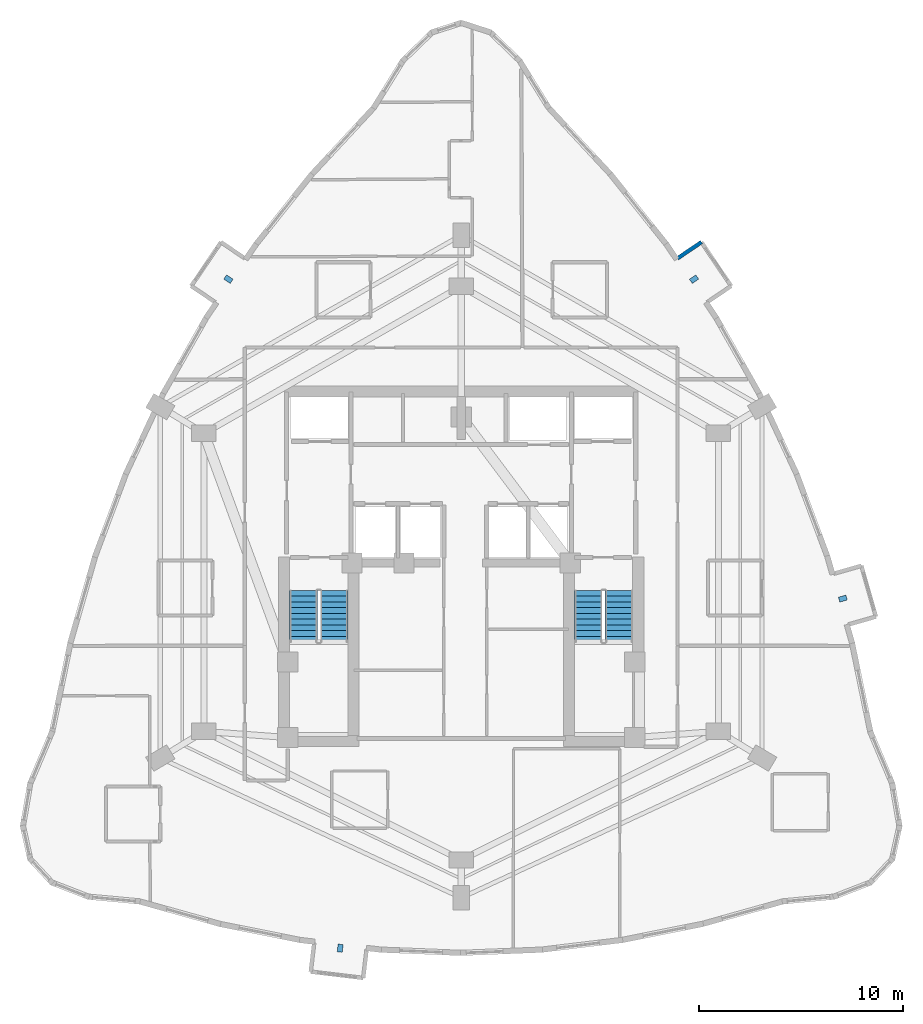
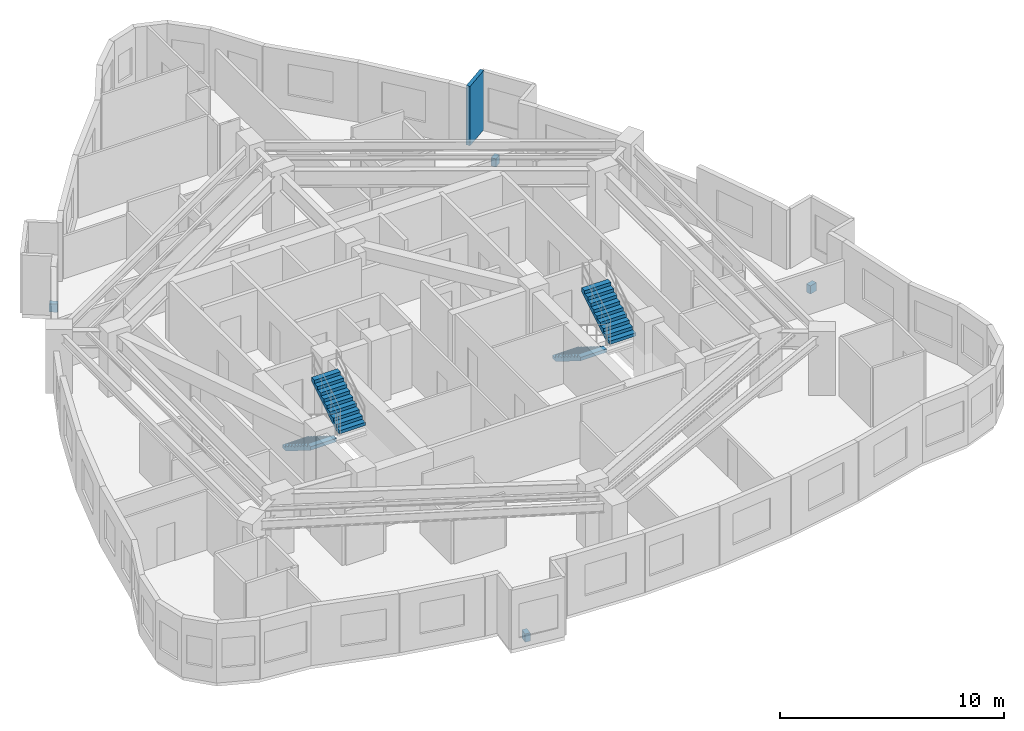
# One storey, part 10 of 11: 4 discrete accessories, 4 stair flights, 1 wall, 2 elements without a shape of their own.
"""IFC4 building model written with IfcOpenShell, lengths in metres."""

from ifc_helpers import new_model, si_unit, direction, frame, frame_2d, origin, origin_2d, place, context, subcontext, project, spatial, polyline, rectangle, outline, extrude, material, layer, layer_set, type_object, element, aggregate, save


model = new_model("IFC4")

# Units and contexts
model_context = context("Model", 3, precision=1e-05, world=origin(), true_north=direction((0.0, 1.0)))
body_context = subcontext(model_context, "Body", "Model", "MODEL_VIEW")
ifc_project = project(units=[si_unit("LENGTHUNIT", "METRE"), si_unit("AREAUNIT", "SQUARE_METRE"), si_unit("VOLUMEUNIT", "CUBIC_METRE"), si_unit("PLANEANGLEUNIT", "RADIAN"), si_unit("MASSUNIT", "GRAM", prefix="KILO")], contexts=[model_context])

# Site, building, storey
site_placement = place(None, origin())
site = spatial("IfcSite", under=ifc_project, at=site_placement, CompositionType="ELEMENT")
building_placement = place(site_placement, origin())
building = spatial("IfcBuilding", under=site, at=building_placement, Name="Miruveldt Soraemaru", CompositionType="ELEMENT")
storey_placement = place(building_placement, frame((0.0, 0.0, 149.39990234375)))
storey = spatial("IfcBuildingStorey", under=building, at=storey_placement, Name="L41", CompositionType="ELEMENT", Elevation=149.39990234375)

# Wall
ifc_material_1 = material(Name="White powder-coated aluminium EN AW-6060 T6", Category="aluminium")
ifc_layer = layer(ifc_material_1, 0.18994140625, Name="White powder-coated aluminium EN AW-6060 T6", Category="aluminium")
ifc_layer_set = layer_set([ifc_layer], Name="White powder-coated aluminium EN AW-6060 T6")
wall_type = type_object("IfcWallType", Name="WALL-BAY-ALU190", PredefinedType="SOLIDWALL", material=ifc_layer_set)
wall_placement = place(storey_placement, frame((55.7685546875, 59.767578125, 0.0), z_axis=(0.0, 0.0, 1.0), x_axis=(-0.82794178844, -0.560814046681, 0.0)))
element("IfcWall", 1, at=wall_placement, inside=storey, type_object=wall_type, Name="L41 Bay Window Side Cheek 3R", PredefinedType="SOLIDWALL", context=body_context, shape_type="SweptSolid", body=[
    extrude(rectangle(XDim=1.4248046875, YDim=0.18994140625, at=frame_2d((0.71240234375, 0.0))), origin(), (0.0, 0.0, 1.0), 3.235107421875),
])

# Stair, stair flights
ifc_material_2 = material(Name="Concrete C40/50 (40 MPa)", Category="concrete")
stair_type = type_object("IfcStairType", Name="STAIR-DL-350", PredefinedType="HALF_TURN_STAIR", material=ifc_material_2)
stair_1_placement = place(storey_placement, origin())
stair_1 = element("IfcStair", 2, at=stair_1_placement, inside=storey, type_object=stair_type, Name="L41 Protected Exit Stair ST-1", PredefinedType="HALF_TURN_STAIR")
stair_flight_type = type_object("IfcStairFlightType", Name="SFL-DL-350", PredefinedType="STRAIGHT", material=ifc_material_2)
stair_flight_1_placement = place(storey_placement, frame((36.27490234375, 42.699951171875, 0.0), z_axis=(0.0, 0.0, 1.0), x_axis=(0.0, -1.0, 0.0)))
stair_flight_1 = element("IfcStairFlight", 3, at=stair_flight_1_placement, type_object=stair_flight_type, Name="ST-1 flight 1", NumberOfRisers=10, NumberOfTreads=9, PredefinedType="STRAIGHT", RiserHeight=0.175, TreadLength=0.28, context=body_context, shape_type="SweptSolid", body=[
    extrude(outline(polyline([(0.0, 0.0), (0.0, 0.175048828125), (0.280029296875, 0.175048828125), (0.280029296875, 0.35009765625), (0.56005859375, 0.35009765625), (0.56005859375, 0.52490234375), (0.840087890625, 0.52490234375), (0.840087890625, 0.699951171875), (1.1201171875, 0.699951171875), (1.1201171875, 0.875), (1.39990234375, 0.875), (1.39990234375, 1.050048828125), (1.679931640625, 1.050048828125), (1.679931640625, 1.22509765625), (1.9599609375, 1.22509765625), (1.9599609375, 1.39990234375), (2.239990234375, 1.39990234375), (2.239990234375, 1.574951171875), (2.52001953125, 1.574951171875), (2.52001953125, 1.75), (2.52001953125, 1.386474609375), (0.3017578125, 0.0), (0.0, 0.0)])), frame((0.0, 0.675048828125, 0.0), z_axis=(0.0, -1.0, 0.0), x_axis=(1.0, 0.0, 0.0)), (0.0, 0.0, 1.0), 1.35009765625),
])
stair_flight_2_placement = place(storey_placement, frame((37.77490234375, 40.179931640625, 1.75), z_axis=(0.0, 0.0, 1.0), x_axis=(0.0, 1.0, 0.0)))
stair_flight_2 = element("IfcStairFlight", 4, at=stair_flight_2_placement, type_object=stair_flight_type, Name="ST-1 flight 2", NumberOfRisers=10, NumberOfTreads=9, PredefinedType="STRAIGHT", RiserHeight=0.175, TreadLength=0.28, context=body_context, shape_type="SweptSolid", body=[
    extrude(outline(polyline([(0.0, 0.0), (0.0, 0.175048828125), (0.280029296875, 0.175048828125), (0.280029296875, 0.35009765625), (0.56005859375, 0.35009765625), (0.56005859375, 0.52490234375), (0.840087890625, 0.52490234375), (0.840087890625, 0.699951171875), (1.1201171875, 0.699951171875), (1.1201171875, 0.875), (1.39990234375, 0.875), (1.39990234375, 1.050048828125), (1.679931640625, 1.050048828125), (1.679931640625, 1.22509765625), (1.9599609375, 1.22509765625), (1.9599609375, 1.39990234375), (2.239990234375, 1.39990234375), (2.239990234375, 1.574951171875), (2.52001953125, 1.574951171875), (2.52001953125, 1.75), (2.52001953125, 1.386474609375), (0.3017578125, 0.0), (0.0, 0.0)])), frame((0.0, 0.675048828125, 0.0), z_axis=(0.0, -1.0, 0.0), x_axis=(1.0, 0.0, 0.0)), (0.0, 0.0, 1.0), 1.35009765625),
])
aggregate(stair_1, [stair_flight_1, stair_flight_2])

stair_2_placement = place(storey_placement, origin())
stair_2 = element("IfcStair", 5, at=stair_2_placement, inside=storey, type_object=stair_type, Name="L41 Protected Exit Stair ST-2", PredefinedType="HALF_TURN_STAIR")
stair_flight_3_placement = place(storey_placement, frame((50.22509765625, 42.699951171875, 0.0), z_axis=(0.0, 0.0, 1.0), x_axis=(0.0, -1.0, 0.0)))
stair_flight_3 = element("IfcStairFlight", 6, at=stair_flight_3_placement, type_object=stair_flight_type, Name="ST-2 flight 1", NumberOfRisers=10, NumberOfTreads=9, PredefinedType="STRAIGHT", RiserHeight=0.175, TreadLength=0.28, context=body_context, shape_type="SweptSolid", body=[
    extrude(outline(polyline([(0.0, 0.0), (0.0, 0.175048828125), (0.280029296875, 0.175048828125), (0.280029296875, 0.35009765625), (0.56005859375, 0.35009765625), (0.56005859375, 0.52490234375), (0.840087890625, 0.52490234375), (0.840087890625, 0.699951171875), (1.1201171875, 0.699951171875), (1.1201171875, 0.875), (1.39990234375, 0.875), (1.39990234375, 1.050048828125), (1.679931640625, 1.050048828125), (1.679931640625, 1.22509765625), (1.9599609375, 1.22509765625), (1.9599609375, 1.39990234375), (2.239990234375, 1.39990234375), (2.239990234375, 1.574951171875), (2.52001953125, 1.574951171875), (2.52001953125, 1.75), (2.52001953125, 1.386474609375), (0.3017578125, 0.0), (0.0, 0.0)])), frame((0.0, 0.675048828125, 0.0), z_axis=(0.0, -1.0, 0.0), x_axis=(1.0, 0.0, 0.0)), (0.0, 0.0, 1.0), 1.35009765625),
])
stair_flight_4_placement = place(storey_placement, frame((51.72509765625, 40.179931640625, 1.75), z_axis=(0.0, 0.0, 1.0), x_axis=(0.0, 1.0, 0.0)))
stair_flight_4 = element("IfcStairFlight", 7, at=stair_flight_4_placement, type_object=stair_flight_type, Name="ST-2 flight 2", NumberOfRisers=10, NumberOfTreads=9, PredefinedType="STRAIGHT", RiserHeight=0.175, TreadLength=0.28, context=body_context, shape_type="SweptSolid", body=[
    extrude(outline(polyline([(0.0, 0.0), (0.0, 0.175048828125), (0.280029296875, 0.175048828125), (0.280029296875, 0.35009765625), (0.56005859375, 0.35009765625), (0.56005859375, 0.52490234375), (0.840087890625, 0.52490234375), (0.840087890625, 0.699951171875), (1.1201171875, 0.699951171875), (1.1201171875, 0.875), (1.39990234375, 0.875), (1.39990234375, 1.050048828125), (1.679931640625, 1.050048828125), (1.679931640625, 1.22509765625), (1.9599609375, 1.22509765625), (1.9599609375, 1.39990234375), (2.239990234375, 1.39990234375), (2.239990234375, 1.574951171875), (2.52001953125, 1.574951171875), (2.52001953125, 1.75), (2.52001953125, 1.386474609375), (0.3017578125, 0.0), (0.0, 0.0)])), frame((0.0, 0.675048828125, 0.0), z_axis=(0.0, -1.0, 0.0), x_axis=(1.0, 0.0, 0.0)), (0.0, 0.0, 1.0), 1.35009765625),
])
aggregate(stair_2, [stair_flight_3, stair_flight_4])

# Discrete accessories
ifc_material_3 = material(Name="Steel SM355 (355 MPa)", Category="steel")
discrete_accessory_type = type_object("IfcDiscreteAccessoryType", Name="ACC-BAY-BRK", PredefinedType="BRACKET", material=ifc_material_3)
for number, where, z_axis, x_axis, name in (
    (8, (38.0712890625, 25.182861328125, -0.7099609375), (0.0, 0.0, 1.0), (-0.119131818163, -0.99287844669, 0.0), "L41 Bay Window Cantilever Bracket 1"),
    (9, (62.6943359375, 42.304443359375, -0.7099609375), (0.0, 0.0, 1.0), (0.961453892845, 0.274966201438, 0.0), "L41 Bay Window Cantilever Bracket 2"),
    (10, (55.40478515625, 57.950927734375, -0.7099609375), (0.0, 0.0, 1.0), (0.827923319955, 0.560841311134, 0.0), "L41 Bay Window Cantilever Bracket 3"),
    (11, (32.59521484375, 57.950927734375, -0.7099609375), (0.0, 0.0, 1.0), (-0.827923319955, 0.560841311134, 0.0), "L41 Bay Window Cantilever Bracket 4"),
):
    element("IfcDiscreteAccessory", number, at=place(storey_placement, frame(where, z_axis=z_axis, x_axis=x_axis)), inside=storey, type_object=discrete_accessory_type, Name=name, PredefinedType="BRACKET", context=body_context, shape_type="SweptSolid", body=[
        extrude(rectangle(XDim=0.3798828125, YDim=0.25, at=origin_2d()), origin(), (0.0, 0.0, 1.0), 0.449951171875),
    ])

save(model, "model.ifc")
